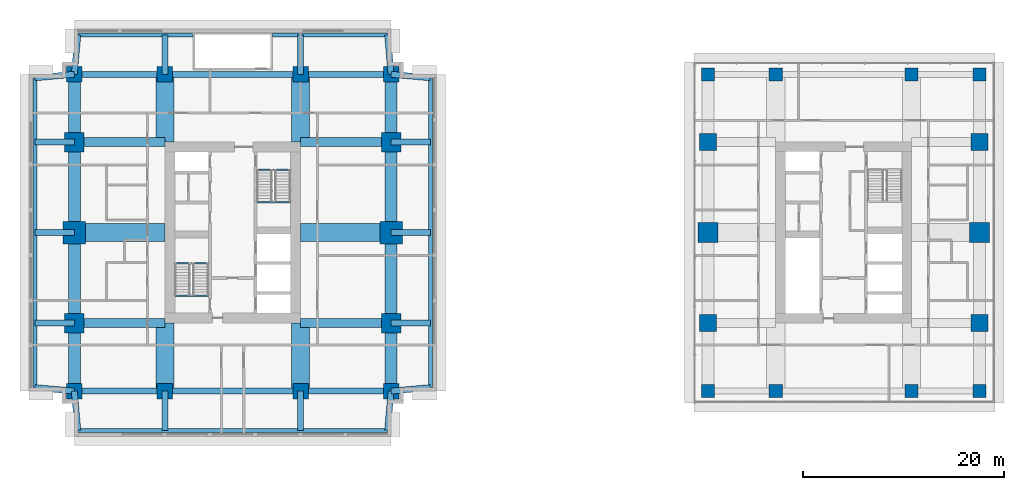
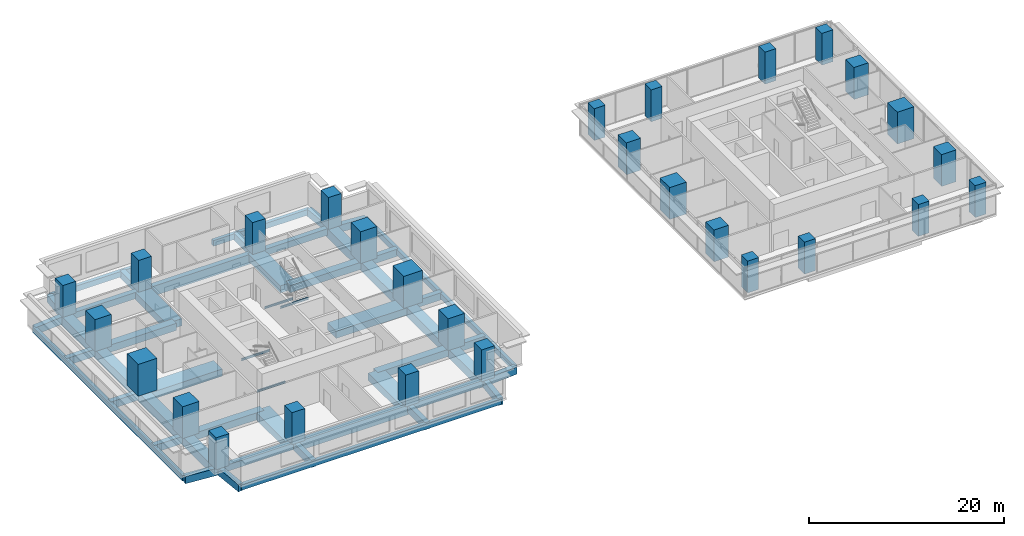
# One storey, part 1 of 14: 51 beams, 28 columns.
"""IFC4 building model written with IfcOpenShell, lengths in metres."""

from ifc_helpers import new_model, si_unit, direction, frame, origin, origin_2d, place, context, subcontext, project, spatial, rectangle, i_section, extrude, material, material_profile, profile_set, type_object, element, save


model = new_model("IFC4")

# Units and contexts
model_context = context("Model", 3, precision=1e-05, world=origin(), true_north=direction((0.0, 1.0)))
body_context = subcontext(model_context, "Body", "Model", "MODEL_VIEW")
ifc_project = project(units=[si_unit("LENGTHUNIT", "METRE"), si_unit("AREAUNIT", "SQUARE_METRE"), si_unit("VOLUMEUNIT", "CUBIC_METRE"), si_unit("PLANEANGLEUNIT", "RADIAN"), si_unit("MASSUNIT", "GRAM", prefix="KILO")], contexts=[model_context])

# Site, building, storey
site_placement = place(None, origin())
site = spatial("IfcSite", under=ifc_project, at=site_placement, CompositionType="ELEMENT")
building_placement = place(site_placement, origin())
building = spatial("IfcBuilding", under=site, at=building_placement, Name="Namib Vertical Campus", CompositionType="ELEMENT")
storey_placement = place(building_placement, frame((0.0, 0.0, 233.0)))
storey = spatial("IfcBuildingStorey", under=building, at=storey_placement, Name="L55", CompositionType="ELEMENT", Elevation=233.0)

# Columns
ifc_material_1 = material(Name="Concrete C60/75", Category="concrete")
ifc_material_profile_1 = material_profile(ifc_material_1, rectangle(XDim=1.300048828125, YDim=1.300048828125, at=origin_2d()))
ifc_profile_set_1 = profile_set([ifc_material_profile_1], Name="Concrete C60/75")
column_type_1 = type_object("IfcColumnType", Name="Column RC 1300x1300", PredefinedType="COLUMN", material=ifc_profile_set_1)
for number, where, z_axis, x_axis, name in (
    (1, (67.5, 4.5, 0.0), (0.0, 0.0, 1.0), (1.0, 0.0, 0.0), "Column C130 L55"),
    (2, (74.25, 4.5, 0.0), (0.0, 0.0, 1.0), (1.0, 0.0, 0.0), "Column C130 L55"),
    (3, (87.75, 4.5, 0.0), (0.0, 0.0, 1.0), (1.0, 0.0, 0.0), "Column C130 L55"),
    (4, (94.5, 4.5, 0.0), (0.0, 0.0, 1.0), (1.0, 0.0, 0.0), "Column C130 L55"),
    (5, (67.5, 36.0, 0.0), (0.0, 0.0, 1.0), (1.0, 0.0, 0.0), "Column C130 L55"),
    (6, (74.25, 36.0, 0.0), (0.0, 0.0, 1.0), (1.0, 0.0, 0.0), "Column C130 L55"),
    (7, (87.75, 36.0, 0.0), (0.0, 0.0, 1.0), (1.0, 0.0, 0.0), "Column C130 L55"),
    (8, (94.5, 36.0, 0.0), (0.0, 0.0, 1.0), (1.0, 0.0, 0.0), "Column C130 L55"),
):
    element("IfcColumn", number, at=place(storey_placement, frame(where, z_axis=z_axis, x_axis=x_axis)), inside=storey, type_object=column_type_1, Name=name, PredefinedType="COLUMN", context=body_context, shape_type="SweptSolid", body=[
        extrude(rectangle(XDim=1.300048828125, YDim=1.300048828125, at=origin_2d()), origin(), (0.0, 0.0, 1.0), 4.0),
    ])
ifc_material_2 = material(Name="Concrete C60/75", Category="concrete")
ifc_material_profile_2 = material_profile(ifc_material_2, rectangle(XDim=1.550048828125, YDim=1.550048828125, at=origin_2d()))
ifc_profile_set_2 = profile_set([ifc_material_profile_2], Name="Concrete C60/75")
column_type_2 = type_object("IfcColumnType", Name="Column RC 1550x1550", PredefinedType="COLUMN", material=ifc_profile_set_2)
for number, where, z_axis, x_axis, name in (
    (9, (4.5, 4.5, 0.0), (0.0, 0.0, 1.0), (1.0, 0.0, 0.0), "Column C155 L55"),
    (10, (13.5, 4.5, 0.0), (0.0, 0.0, 1.0), (1.0, 0.0, 0.0), "Column C155 L55"),
    (11, (27.0, 4.5, 0.0), (0.0, 0.0, 1.0), (1.0, 0.0, 0.0), "Column C155 L55"),
    (12, (36.0, 4.5, 0.0), (0.0, 0.0, 1.0), (1.0, 0.0, 0.0), "Column C155 L55"),
    (13, (4.5, 36.0, 0.0), (0.0, 0.0, 1.0), (1.0, 0.0, 0.0), "Column C155 L55"),
    (14, (13.5, 36.0, 0.0), (0.0, 0.0, 1.0), (1.0, 0.0, 0.0), "Column C155 L55"),
    (15, (27.0, 36.0, 0.0), (0.0, 0.0, 1.0), (1.0, 0.0, 0.0), "Column C155 L55"),
    (16, (36.0, 36.0, 0.0), (0.0, 0.0, 1.0), (1.0, 0.0, 0.0), "Column C155 L55"),
):
    element("IfcColumn", number, at=place(storey_placement, frame(where, z_axis=z_axis, x_axis=x_axis)), inside=storey, type_object=column_type_2, Name=name, PredefinedType="COLUMN", context=body_context, shape_type="SweptSolid", body=[
        extrude(rectangle(XDim=1.550048828125, YDim=1.550048828125, at=origin_2d()), origin(), (0.0, 0.0, 1.0), 4.0),
    ])
ifc_material_3 = material(Name="Concrete C60/75", Category="concrete")
ifc_material_profile_3 = material_profile(ifc_material_3, rectangle(XDim=1.699951171875, YDim=1.699951171875, at=origin_2d()))
ifc_profile_set_3 = profile_set([ifc_material_profile_3], Name="Concrete C60/75")
column_type_3 = type_object("IfcColumnType", Name="Column RC 1700x1700", PredefinedType="COLUMN", material=ifc_profile_set_3)
for number, where, z_axis, x_axis, name in (
    (17, (67.5, 11.25, 0.0), (0.0, 0.0, 1.0), (1.0, 0.0, 0.0), "Column C170 L55"),
    (18, (94.5, 11.25, 0.0), (0.0, 0.0, 1.0), (1.0, 0.0, 0.0), "Column C170 L55"),
    (19, (67.5, 29.25, 0.0), (0.0, 0.0, 1.0), (1.0, 0.0, 0.0), "Column C170 L55"),
    (20, (94.5, 29.25, 0.0), (0.0, 0.0, 1.0), (1.0, 0.0, 0.0), "Column C170 L55"),
):
    element("IfcColumn", number, at=place(storey_placement, frame(where, z_axis=z_axis, x_axis=x_axis)), inside=storey, type_object=column_type_3, Name=name, PredefinedType="COLUMN", context=body_context, shape_type="SweptSolid", body=[
        extrude(rectangle(XDim=1.699951171875, YDim=1.699951171875, at=origin_2d()), origin(), (0.0, 0.0, 1.0), 4.0),
    ])
ifc_material_4 = material(Name="Concrete C60/75", Category="concrete")
ifc_material_profile_4 = material_profile(ifc_material_4, rectangle(XDim=1.949951171875, YDim=1.949951171875, at=origin_2d()))
ifc_profile_set_4 = profile_set([ifc_material_profile_4], Name="Concrete C60/75")
column_type_4 = type_object("IfcColumnType", Name="Column RC 1950x1950", PredefinedType="COLUMN", material=ifc_profile_set_4)
for number, where, z_axis, x_axis, name in (
    (21, (4.5, 11.25, 0.0), (0.0, 0.0, 1.0), (1.0, 0.0, 0.0), "Column C195 L55"),
    (22, (36.0, 11.25, 0.0), (0.0, 0.0, 1.0), (1.0, 0.0, 0.0), "Column C195 L55"),
    (23, (4.5, 29.25, 0.0), (0.0, 0.0, 1.0), (1.0, 0.0, 0.0), "Column C195 L55"),
    (24, (36.0, 29.25, 0.0), (0.0, 0.0, 1.0), (1.0, 0.0, 0.0), "Column C195 L55"),
):
    element("IfcColumn", number, at=place(storey_placement, frame(where, z_axis=z_axis, x_axis=x_axis)), inside=storey, type_object=column_type_4, Name=name, PredefinedType="COLUMN", context=body_context, shape_type="SweptSolid", body=[
        extrude(rectangle(XDim=1.949951171875, YDim=1.949951171875, at=origin_2d()), origin(), (0.0, 0.0, 1.0), 4.0),
    ])
ifc_material_5 = material(Name="Concrete C60/75", Category="concrete")
ifc_material_profile_5 = material_profile(ifc_material_5, rectangle(XDim=2.0, YDim=2.0, at=origin_2d()))
ifc_profile_set_5 = profile_set([ifc_material_profile_5], Name="Concrete C60/75")
column_type_5 = type_object("IfcColumnType", Name="Column RC 2000x2000", PredefinedType="COLUMN", material=ifc_profile_set_5)
for number, where, z_axis, x_axis, name in (
    (25, (67.5, 20.25, 0.0), (0.0, 0.0, 1.0), (1.0, 0.0, 0.0), "Column C200 L55"),
    (26, (94.5, 20.25, 0.0), (0.0, 0.0, 1.0), (1.0, 0.0, 0.0), "Column C200 L55"),
):
    element("IfcColumn", number, at=place(storey_placement, frame(where, z_axis=z_axis, x_axis=x_axis)), inside=storey, type_object=column_type_5, Name=name, PredefinedType="COLUMN", context=body_context, shape_type="SweptSolid", body=[
        extrude(rectangle(XDim=2.0, YDim=2.0, at=origin_2d()), origin(), (0.0, 0.0, 1.0), 4.0),
    ])
ifc_material_6 = material(Name="Concrete C60/75", Category="concrete")
ifc_material_profile_6 = material_profile(ifc_material_6, rectangle(XDim=2.25, YDim=2.25, at=origin_2d()))
ifc_profile_set_6 = profile_set([ifc_material_profile_6], Name="Concrete C60/75")
column_type_6 = type_object("IfcColumnType", Name="Column RC 2250x2250", PredefinedType="COLUMN", material=ifc_profile_set_6)
for number, where, z_axis, x_axis, name in (
    (27, (4.5, 20.25, 0.0), (0.0, 0.0, 1.0), (1.0, 0.0, 0.0), "Column C225 L55"),
    (28, (36.0, 20.25, 0.0), (0.0, 0.0, 1.0), (1.0, 0.0, 0.0), "Column C225 L55"),
):
    element("IfcColumn", number, at=place(storey_placement, frame(where, z_axis=z_axis, x_axis=x_axis)), inside=storey, type_object=column_type_6, Name=name, PredefinedType="COLUMN", context=body_context, shape_type="SweptSolid", body=[
        extrude(rectangle(XDim=2.25, YDim=2.25, at=origin_2d()), origin(), (0.0, 0.0, 1.0), 4.0),
    ])

# Beams
ifc_material_7 = material(Name="Concrete C40/50", Category="concrete")
ifc_material_profile_7 = material_profile(ifc_material_7, rectangle(XDim=0.60009765625, YDim=0.89990234375, at=origin_2d()))
ifc_profile_set_7 = profile_set([ifc_material_profile_7], Name="Concrete C40/50")
beam_type_1 = type_object("IfcBeamType", Name="Cantilever girder RC 600x900", PredefinedType="BEAM", material=ifc_profile_set_7)
beam_1_placement = place(storey_placement, frame((4.5, 4.5, -0.699951171875), z_axis=(0.089411326146, -0.995994786511, 0.0), x_axis=(0.995994786511, 0.089411326146, 0.0)))
element("IfcBeam", 29, at=beam_1_placement, inside=storey, type_object=beam_type_1, Name="Beam B3 L55", PredefinedType="BEAM", context=body_context, shape_type="SweptSolid", body=[
    extrude(rectangle(XDim=0.60009765625, YDim=0.89990234375, at=origin_2d()), origin(), (0.0, 0.0, 1.0), 3.91552734375),
])
for number, where, z_axis, x_axis, name in (
    (30, (13.5, 4.5, -0.699951171875), (0.0, -1.0, 0.0), (1.0, 0.0, 0.0), "Beam B3 L55"),
    (31, (27.0, 4.5, -0.699951171875), (0.0, -1.0, 0.0), (1.0, 0.0, 0.0), "Beam B3 L55"),
):
    element("IfcBeam", number, at=place(storey_placement, frame(where, z_axis=z_axis, x_axis=x_axis)), inside=storey, type_object=beam_type_1, Name=name, PredefinedType="BEAM", context=body_context, shape_type="SweptSolid", body=[
        extrude(rectangle(XDim=0.60009765625, YDim=0.89990234375, at=origin_2d()), origin(), (0.0, 0.0, 1.0), 3.89990234375),
    ])
for number, where, z_axis, x_axis, name in (
    (32, (36.0, 4.5, -0.699951171875), (-0.089411326146, -0.995994786511, 0.0), (0.995994786511, -0.089411326146, 0.0), "Beam B3 L55"),
    (33, (4.5, 36.0, -0.699951171875), (0.089411326146, 0.995994786511, 0.0), (-0.995994786511, 0.089411326146, 0.0), "Beam B3 L55"),
):
    element("IfcBeam", number, at=place(storey_placement, frame(where, z_axis=z_axis, x_axis=x_axis)), inside=storey, type_object=beam_type_1, Name=name, PredefinedType="BEAM", context=body_context, shape_type="SweptSolid", body=[
        extrude(rectangle(XDim=0.60009765625, YDim=0.89990234375, at=origin_2d()), origin(), (0.0, 0.0, 1.0), 3.91552734375),
    ])
for number, where, z_axis, x_axis, name in (
    (34, (13.5, 36.0, -0.699951171875), (0.0, 1.0, 0.0), (-1.0, 0.0, 0.0), "Beam B3 L55"),
    (35, (27.0, 36.0, -0.699951171875), (0.0, 1.0, 0.0), (-1.0, 0.0, 0.0), "Beam B3 L55"),
):
    element("IfcBeam", number, at=place(storey_placement, frame(where, z_axis=z_axis, x_axis=x_axis)), inside=storey, type_object=beam_type_1, Name=name, PredefinedType="BEAM", context=body_context, shape_type="SweptSolid", body=[
        extrude(rectangle(XDim=0.60009765625, YDim=0.89990234375, at=origin_2d()), origin(), (0.0, 0.0, 1.0), 3.89990234375),
    ])
for number, where, z_axis, x_axis, name in (
    (36, (36.0, 36.0, -0.699951171875), (-0.089411326146, 0.995994786511, 0.0), (-0.995994786511, -0.089411326146, 0.0), "Beam B3 L55"),
    (37, (4.5, 4.5, -0.699951171875), (-0.995994786511, 0.089411326146, 0.0), (-0.089411326146, -0.995994786511, 0.0), "Beam B3 L55"),
):
    element("IfcBeam", number, at=place(storey_placement, frame(where, z_axis=z_axis, x_axis=x_axis)), inside=storey, type_object=beam_type_1, Name=name, PredefinedType="BEAM", context=body_context, shape_type="SweptSolid", body=[
        extrude(rectangle(XDim=0.60009765625, YDim=0.89990234375, at=origin_2d()), origin(), (0.0, 0.0, 1.0), 3.91552734375),
    ])
for number, where, z_axis, x_axis, name in (
    (38, (4.5, 11.25, -0.699951171875), (-1.0, 0.0, 0.0), (0.0, -1.0, 0.0), "Beam B3 L55"),
    (39, (4.5, 20.25, -0.699951171875), (-1.0, 0.0, 0.0), (0.0, -1.0, 0.0), "Beam B3 L55"),
    (40, (4.5, 29.25, -0.699951171875), (-1.0, 0.0, 0.0), (0.0, -1.0, 0.0), "Beam B3 L55"),
):
    element("IfcBeam", number, at=place(storey_placement, frame(where, z_axis=z_axis, x_axis=x_axis)), inside=storey, type_object=beam_type_1, Name=name, PredefinedType="BEAM", context=body_context, shape_type="SweptSolid", body=[
        extrude(rectangle(XDim=0.60009765625, YDim=0.89990234375, at=origin_2d()), origin(), (0.0, 0.0, 1.0), 3.89990234375),
    ])
for number, where, z_axis, x_axis, name in (
    (41, (4.5, 36.0, -0.699951171875), (-0.995994786511, -0.089411326146, 0.0), (0.089411326146, -0.995994786511, 0.0), "Beam B3 L55"),
    (42, (36.0, 4.5, -0.699951171875), (0.995994786511, 0.089411326146, 0.0), (-0.089411326146, 0.995994786511, 0.0), "Beam B3 L55"),
):
    element("IfcBeam", number, at=place(storey_placement, frame(where, z_axis=z_axis, x_axis=x_axis)), inside=storey, type_object=beam_type_1, Name=name, PredefinedType="BEAM", context=body_context, shape_type="SweptSolid", body=[
        extrude(rectangle(XDim=0.60009765625, YDim=0.89990234375, at=origin_2d()), origin(), (0.0, 0.0, 1.0), 3.91552734375),
    ])
for number, where, z_axis, x_axis, name in (
    (43, (36.0, 11.25, -0.699951171875), (1.0, 0.0, 0.0), (0.0, 1.0, 0.0), "Beam B3 L55"),
    (44, (36.0, 20.25, -0.699951171875), (1.0, 0.0, 0.0), (0.0, 1.0, 0.0), "Beam B3 L55"),
    (45, (36.0, 29.25, -0.699951171875), (1.0, 0.0, 0.0), (0.0, 1.0, 0.0), "Beam B3 L55"),
):
    element("IfcBeam", number, at=place(storey_placement, frame(where, z_axis=z_axis, x_axis=x_axis)), inside=storey, type_object=beam_type_1, Name=name, PredefinedType="BEAM", context=body_context, shape_type="SweptSolid", body=[
        extrude(rectangle(XDim=0.60009765625, YDim=0.89990234375, at=origin_2d()), origin(), (0.0, 0.0, 1.0), 3.89990234375),
    ])
beam_2_placement = place(storey_placement, frame((36.0, 36.0, -0.699951171875), z_axis=(0.995994786511, -0.089411326146, 0.0), x_axis=(0.089411326146, 0.995994786511, 0.0)))
element("IfcBeam", 46, at=beam_2_placement, inside=storey, type_object=beam_type_1, Name="Beam B3 L55", PredefinedType="BEAM", context=body_context, shape_type="SweptSolid", body=[
    extrude(rectangle(XDim=0.60009765625, YDim=0.89990234375, at=origin_2d()), origin(), (0.0, 0.0, 1.0), 3.91552734375),
])
ifc_material_8 = material(Name="Concrete C40/50", Category="concrete")
ifc_material_profile_8 = material_profile(ifc_material_8, rectangle(XDim=0.39990234375, YDim=0.699951171875, at=origin_2d()))
ifc_profile_set_8 = profile_set([ifc_material_profile_8], Name="Concrete C40/50")
beam_type_2 = type_object("IfcBeamType", Name="Edge beam RC 400x700", PredefinedType="SPANDREL", material=ifc_profile_set_8)
beam_3_placement = place(storey_placement, frame((4.85009765625, 0.60009765625, -0.60009765625), z_axis=(1.0, 0.0, 0.0), x_axis=(0.0, 1.0, 0.0)))
element("IfcBeam", 47, at=beam_3_placement, inside=storey, type_object=beam_type_2, Name="Beam B4 L55", PredefinedType="SPANDREL", context=body_context, shape_type="SweptSolid", body=[
    extrude(rectangle(XDim=0.39990234375, YDim=0.699951171875, at=origin_2d()), origin(), (0.0, 0.0, 1.0), 30.7998046875),
])
for number, where, z_axis, x_axis, name in (
    (48, (4.85009765625, 39.89990234375, -0.60009765625), (1.0, 0.0, 0.0), (0.0, 1.0, 0.0), "Beam B4 L55"),
    (49, (24.199951171875, 39.89990234375, -0.60009765625), (1.0, 0.0, 0.0), (0.0, 1.0, 0.0), "Beam B4 L55"),
):
    element("IfcBeam", number, at=place(storey_placement, frame(where, z_axis=z_axis, x_axis=x_axis)), inside=storey, type_object=beam_type_2, Name=name, PredefinedType="SPANDREL", context=body_context, shape_type="SweptSolid", body=[
        extrude(rectangle(XDim=0.39990234375, YDim=0.699951171875, at=origin_2d()), origin(), (0.0, 0.0, 1.0), 11.449951171875),
    ])
for number, where, z_axis, x_axis, name in (
    (50, (0.60009765625, 4.85009765625, -0.60009765625), (0.0, 1.0, 0.0), (-1.0, 0.0, 0.0), "Beam B4 L55"),
    (51, (39.89990234375, 4.85009765625, -0.60009765625), (0.0, 1.0, 0.0), (-1.0, 0.0, 0.0), "Beam B4 L55"),
):
    element("IfcBeam", number, at=place(storey_placement, frame(where, z_axis=z_axis, x_axis=x_axis)), inside=storey, type_object=beam_type_2, Name=name, PredefinedType="SPANDREL", context=body_context, shape_type="SweptSolid", body=[
        extrude(rectangle(XDim=0.39990234375, YDim=0.699951171875, at=origin_2d()), origin(), (0.0, 0.0, 1.0), 30.7998046875),
    ])
ifc_material_9 = material(Name="Concrete C40/50", Category="concrete")
ifc_material_profile_9 = material_profile(ifc_material_9, rectangle(XDim=0.89990234375, YDim=0.89990234375, at=origin_2d()))
ifc_profile_set_9 = profile_set([ifc_material_profile_9], Name="Concrete C40/50")
beam_type_3 = type_object("IfcBeamType", Name="Face girder RC 900x900", PredefinedType="BEAM", material=ifc_profile_set_9)
for number, where, z_axis, x_axis, name in (
    (52, (4.5, 11.25, -0.699951171875), (1.0, 0.0, 0.0), (0.0, 1.0, 0.0), "Beam B10 L55"),
    (53, (36.0, 11.25, -0.699951171875), (-1.0, 0.0, 0.0), (0.0, -1.0, 0.0), "Beam B10 L55"),
    (54, (4.5, 29.25, -0.699951171875), (1.0, 0.0, 0.0), (0.0, 1.0, 0.0), "Beam B10 L55"),
    (55, (36.0, 29.25, -0.699951171875), (-1.0, 0.0, 0.0), (0.0, -1.0, 0.0), "Beam B10 L55"),
):
    element("IfcBeam", number, at=place(storey_placement, frame(where, z_axis=z_axis, x_axis=x_axis)), inside=storey, type_object=beam_type_3, Name=name, PredefinedType="BEAM", context=body_context, shape_type="SweptSolid", body=[
        extrude(rectangle(XDim=0.89990234375, YDim=0.89990234375, at=origin_2d()), origin(), (0.0, 0.0, 1.0), 9.0),
    ])
ifc_material_10 = material(Name="Concrete C40/50", Category="concrete")
ifc_material_profile_10 = material_profile(ifc_material_10, rectangle(XDim=1.199951171875, YDim=1.10009765625, at=origin_2d()))
ifc_profile_set_10 = profile_set([ifc_material_profile_10], Name="Concrete C40/50")
beam_type_4 = type_object("IfcBeamType", Name="Face ring beam RC 1200x1100", PredefinedType="BEAM", material=ifc_profile_set_10)
beam_4_placement = place(storey_placement, frame((4.5, 4.5, -0.800048828125), z_axis=(0.0, 1.0, 0.0), x_axis=(-1.0, 0.0, 0.0)))
element("IfcBeam", 56, at=beam_4_placement, inside=storey, type_object=beam_type_4, Name="Beam B11 L55", PredefinedType="BEAM", context=body_context, shape_type="SweptSolid", body=[
    extrude(rectangle(XDim=1.199951171875, YDim=1.10009765625, at=origin_2d()), origin(), (0.0, 0.0, 1.0), 6.75),
])
for number, where, z_axis, x_axis, name in (
    (57, (4.5, 11.25, -0.800048828125), (0.0, 1.0, 0.0), (-1.0, 0.0, 0.0), "Beam B11 L55"),
    (58, (4.5, 20.25, -0.800048828125), (0.0, 1.0, 0.0), (-1.0, 0.0, 0.0), "Beam B11 L55"),
):
    element("IfcBeam", number, at=place(storey_placement, frame(where, z_axis=z_axis, x_axis=x_axis)), inside=storey, type_object=beam_type_4, Name=name, PredefinedType="BEAM", context=body_context, shape_type="SweptSolid", body=[
        extrude(rectangle(XDim=1.199951171875, YDim=1.10009765625, at=origin_2d()), origin(), (0.0, 0.0, 1.0), 9.0),
    ])
for number, where, z_axis, x_axis, name in (
    (59, (4.5, 29.25, -0.800048828125), (0.0, 1.0, 0.0), (-1.0, 0.0, 0.0), "Beam B11 L55"),
    (60, (36.0, 4.5, -0.800048828125), (0.0, 1.0, 0.0), (-1.0, 0.0, 0.0), "Beam B11 L55"),
):
    element("IfcBeam", number, at=place(storey_placement, frame(where, z_axis=z_axis, x_axis=x_axis)), inside=storey, type_object=beam_type_4, Name=name, PredefinedType="BEAM", context=body_context, shape_type="SweptSolid", body=[
        extrude(rectangle(XDim=1.199951171875, YDim=1.10009765625, at=origin_2d()), origin(), (0.0, 0.0, 1.0), 6.75),
    ])
for number, where, z_axis, x_axis, name in (
    (61, (36.0, 11.25, -0.800048828125), (0.0, 1.0, 0.0), (-1.0, 0.0, 0.0), "Beam B11 L55"),
    (62, (36.0, 20.25, -0.800048828125), (0.0, 1.0, 0.0), (-1.0, 0.0, 0.0), "Beam B11 L55"),
):
    element("IfcBeam", number, at=place(storey_placement, frame(where, z_axis=z_axis, x_axis=x_axis)), inside=storey, type_object=beam_type_4, Name=name, PredefinedType="BEAM", context=body_context, shape_type="SweptSolid", body=[
        extrude(rectangle(XDim=1.199951171875, YDim=1.10009765625, at=origin_2d()), origin(), (0.0, 0.0, 1.0), 9.0),
    ])
beam_5_placement = place(storey_placement, frame((36.0, 29.25, -0.800048828125), z_axis=(0.0, 1.0, 0.0), x_axis=(-1.0, 0.0, 0.0)))
element("IfcBeam", 63, at=beam_5_placement, inside=storey, type_object=beam_type_4, Name="Beam B11 L55", PredefinedType="BEAM", context=body_context, shape_type="SweptSolid", body=[
    extrude(rectangle(XDim=1.199951171875, YDim=1.10009765625, at=origin_2d()), origin(), (0.0, 0.0, 1.0), 6.75),
])
ifc_material_11 = material(Name="Steel S355JR", Category="steel")
ifc_material_profile_11 = material_profile(ifc_material_11, i_section(OverallWidth=0.14599609375, OverallDepth=0.25146484375, WebThickness=0.006103515625, FlangeThickness=0.008544921875, FilletRadius=0.007568359375, at=origin_2d()))
ifc_profile_set_11 = profile_set([ifc_material_profile_11], Name="Steel S355JR")
beam_type_5 = type_object("IfcBeamType", Name="Landing trimmer UB 254x146x31", PredefinedType="BEAM", material=ifc_profile_set_11)
for number, where, z_axis, x_axis, name in (
    (64, (14.5, 13.97705078125, -0.125732421875), (1.0, 0.0, 0.0), (0.0, 1.0, 0.0), "Landing trimmer LT1 A-S1 L55 1"),
    (65, (14.5, 17.203125, 1.874267578125), (1.0, 0.0, 0.0), (0.0, 1.0, 0.0), "Landing trimmer LT1 A-S1 L55 2"),
    (66, (22.64990234375, 26.52294921875, -0.125732421875), (1.0, 0.0, 0.0), (0.0, 1.0, 0.0), "Landing trimmer LT1 A-S2 L55 1"),
    (67, (22.64990234375, 23.296875, 1.874267578125), (1.0, 0.0, 0.0), (0.0, 1.0, 0.0), "Landing trimmer LT1 A-S2 L55 2"),
):
    element("IfcBeam", number, at=place(storey_placement, frame(where, z_axis=z_axis, x_axis=x_axis)), inside=storey, type_object=beam_type_5, Name=name, PredefinedType="BEAM", context=body_context, shape_type="SweptSolid", body=[
        extrude(i_section(OverallWidth=0.14599609375, OverallDepth=0.25146484375, WebThickness=0.006103515625, FlangeThickness=0.008544921875, FilletRadius=0.007568359375, at=origin_2d()), origin(), (0.0, 0.0, 1.0), 3.35009765625),
    ])
ifc_material_12 = material(Name="Concrete C40/50", Category="concrete")
ifc_material_profile_12 = material_profile(ifc_material_12, rectangle(XDim=0.60009765625, YDim=1.199951171875, at=origin_2d()))
ifc_profile_set_12 = profile_set([ifc_material_profile_12], Name="Concrete C40/50")
beam_type_6 = type_object("IfcBeamType", Name="Long-span ring beam RC 600x1200", PredefinedType="BEAM", material=ifc_profile_set_12)
for number, where, z_axis, x_axis, name in (
    (68, (13.5, 4.5, -0.85009765625), (1.0, 0.0, 0.0), (0.0, 1.0, 0.0), "Beam B9 L55"),
    (69, (13.5, 36.0, -0.85009765625), (1.0, 0.0, 0.0), (0.0, 1.0, 0.0), "Beam B9 L55"),
):
    element("IfcBeam", number, at=place(storey_placement, frame(where, z_axis=z_axis, x_axis=x_axis)), inside=storey, type_object=beam_type_6, Name=name, PredefinedType="BEAM", context=body_context, shape_type="SweptSolid", body=[
        extrude(rectangle(XDim=0.60009765625, YDim=1.199951171875, at=origin_2d()), origin(), (0.0, 0.0, 1.0), 13.5),
    ])
ifc_material_13 = material(Name="Concrete C40/50", Category="concrete")
ifc_material_profile_13 = material_profile(ifc_material_13, rectangle(XDim=1.800048828125, YDim=0.89990234375, at=origin_2d()))
ifc_profile_set_13 = profile_set([ifc_material_profile_13], Name="Concrete C40/50")
beam_type_7 = type_object("IfcBeamType", Name="Outrigger line girder RC 1800x900", PredefinedType="BEAM", material=ifc_profile_set_13)
for number, where, z_axis, x_axis, name in (
    (70, (13.5, 4.5, -0.699951171875), (0.0, 1.0, 0.0), (-1.0, 0.0, 0.0), "Beam B12 L55"),
    (71, (13.5, 36.0, -0.699951171875), (0.0, -1.0, 0.0), (1.0, 0.0, 0.0), "Beam B12 L55"),
    (72, (27.0, 4.5, -0.699951171875), (0.0, 1.0, 0.0), (-1.0, 0.0, 0.0), "Beam B12 L55"),
    (73, (27.0, 36.0, -0.699951171875), (0.0, -1.0, 0.0), (1.0, 0.0, 0.0), "Beam B12 L55"),
):
    element("IfcBeam", number, at=place(storey_placement, frame(where, z_axis=z_axis, x_axis=x_axis)), inside=storey, type_object=beam_type_7, Name=name, PredefinedType="BEAM", context=body_context, shape_type="SweptSolid", body=[
        extrude(rectangle(XDim=1.800048828125, YDim=0.89990234375, at=origin_2d()), origin(), (0.0, 0.0, 1.0), 6.75),
    ])
for number, where, z_axis, x_axis, name in (
    (74, (4.5, 20.25, -0.699951171875), (1.0, 0.0, 0.0), (0.0, 1.0, 0.0), "Beam B12 L55"),
    (75, (36.0, 20.25, -0.699951171875), (-1.0, 0.0, 0.0), (0.0, -1.0, 0.0), "Beam B12 L55"),
):
    element("IfcBeam", number, at=place(storey_placement, frame(where, z_axis=z_axis, x_axis=x_axis)), inside=storey, type_object=beam_type_7, Name=name, PredefinedType="BEAM", context=body_context, shape_type="SweptSolid", body=[
        extrude(rectangle(XDim=1.800048828125, YDim=0.89990234375, at=origin_2d()), origin(), (0.0, 0.0, 1.0), 9.0),
    ])
ifc_material_14 = material(Name="Concrete C40/50", Category="concrete")
ifc_material_profile_14 = material_profile(ifc_material_14, rectangle(XDim=0.60009765625, YDim=0.800048828125, at=origin_2d()))
ifc_profile_set_14 = profile_set([ifc_material_profile_14], Name="Concrete C40/50")
beam_type_8 = type_object("IfcBeamType", Name="Ring beam RC 600x800", PredefinedType="BEAM", material=ifc_profile_set_14)
for number, where, z_axis, x_axis, name in (
    (76, (4.5, 4.5, -0.64990234375), (1.0, 0.0, 0.0), (0.0, 1.0, 0.0), "Beam B1 L55"),
    (77, (27.0, 4.5, -0.64990234375), (1.0, 0.0, 0.0), (0.0, 1.0, 0.0), "Beam B1 L55"),
    (78, (4.5, 36.0, -0.64990234375), (1.0, 0.0, 0.0), (0.0, 1.0, 0.0), "Beam B1 L55"),
    (79, (27.0, 36.0, -0.64990234375), (1.0, 0.0, 0.0), (0.0, 1.0, 0.0), "Beam B1 L55"),
):
    element("IfcBeam", number, at=place(storey_placement, frame(where, z_axis=z_axis, x_axis=x_axis)), inside=storey, type_object=beam_type_8, Name=name, PredefinedType="BEAM", context=body_context, shape_type="SweptSolid", body=[
        extrude(rectangle(XDim=0.60009765625, YDim=0.800048828125, at=origin_2d()), origin(), (0.0, 0.0, 1.0), 9.0),
    ])

save(model, "model.ifc")
